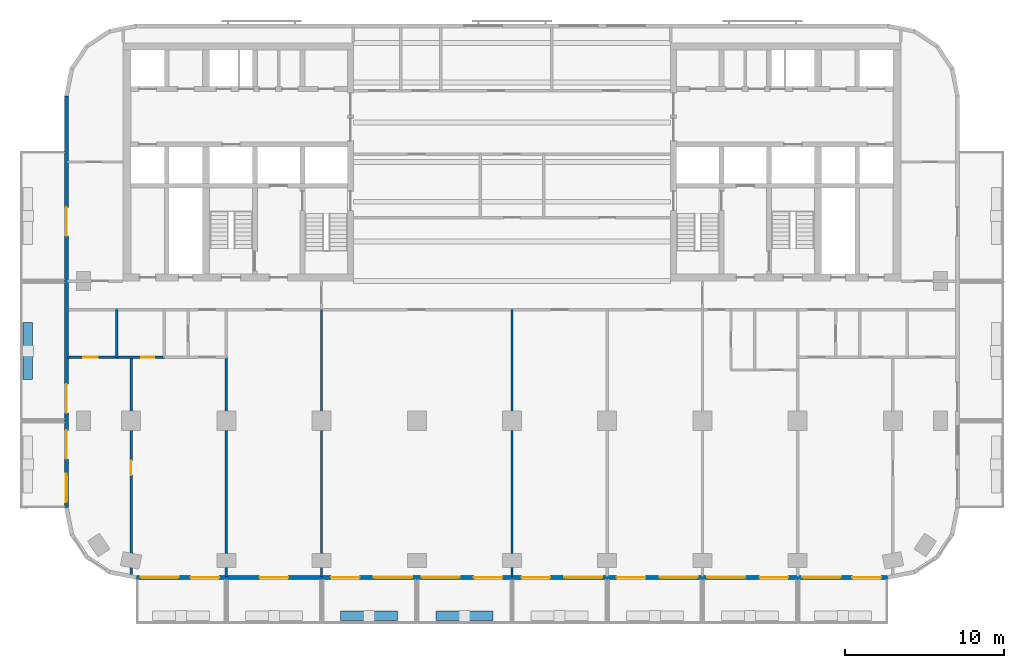
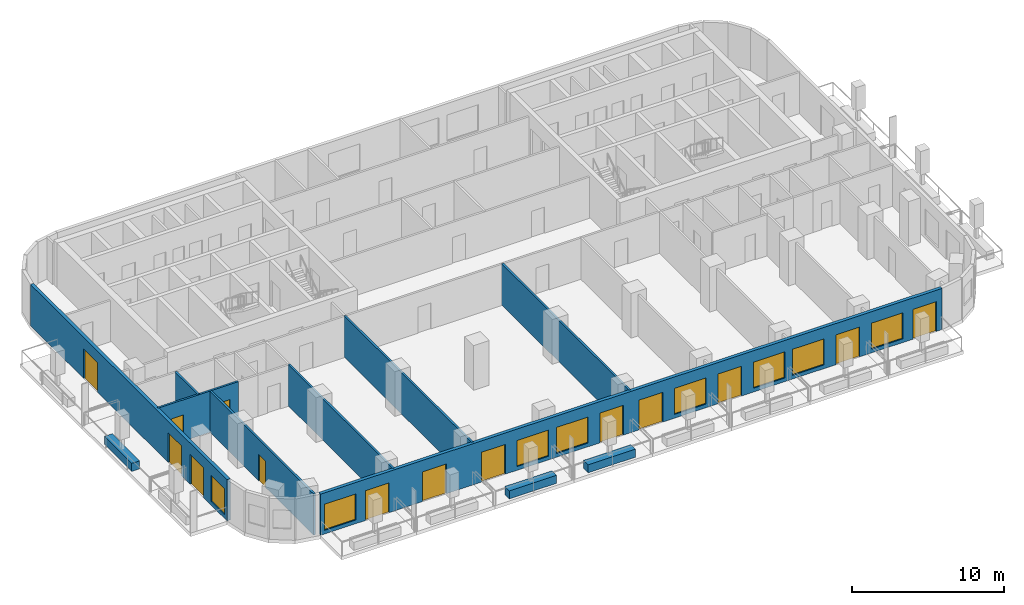
# One storey, part 2 of 11: 14 doors, 11 walls, 8 windows, 22 openings.
"""IFC4 building model written with IfcOpenShell, lengths in metres."""

from ifc_helpers import new_model, si_unit, direction, frame, frame_2d, origin, place, context, subcontext, project, spatial, rectangle, extrude, material, layer, layer_set, type_object, element, fill, save


model = new_model("IFC4")

# Units and contexts
model_context = context("Model", 3, precision=1e-05, world=origin(), true_north=direction((0.0, 1.0)))
body_context = subcontext(model_context, "Body", "Model", "MODEL_VIEW")
ifc_project = project(units=[si_unit("LENGTHUNIT", "METRE"), si_unit("AREAUNIT", "SQUARE_METRE"), si_unit("VOLUMEUNIT", "CUBIC_METRE"), si_unit("PLANEANGLEUNIT", "RADIAN"), si_unit("MASSUNIT", "GRAM", prefix="KILO")], contexts=[model_context])

# Site, building, storey
site_placement = place(None, origin())
site = spatial("IfcSite", under=ifc_project, at=site_placement, CompositionType="ELEMENT")
building_placement = place(site_placement, origin())
building = spatial("IfcBuilding", under=site, at=building_placement, Name="Torana Hotel and Residences", CompositionType="ELEMENT")
storey_placement = place(building_placement, frame((0.0, 0.0, 120.0)))
storey = spatial("IfcBuildingStorey", under=building, at=storey_placement, Name="L30", CompositionType="ELEMENT", Elevation=120.0)

# Wall, openings, doors, window
ifc_material_1 = material(Name="Black aluminium composite panel", Category="aluminium")
ifc_layer_1 = layer(ifc_material_1, 0.00390625, Name="Cladding", Category="cladding")
ifc_material_2 = material(Name="Ventilated air cavity")
ifc_layer_2 = layer(ifc_material_2, 0.0400390625, Name="Ventilated cavity", Category="cavity")
ifc_material_3 = material(Name="Mineral wool insulation")
ifc_layer_3 = layer(ifc_material_3, 0.090087890625, Name="Insulation", Category="insulation")
ifc_material_4 = material(Name="Steel S280GD", Category="steel")
ifc_layer_4 = layer(ifc_material_4, 0.092041015625, Name="Steel stud frame", Category="structure")
ifc_material_5 = material(Name="Fire rated plasterboard")
ifc_layer_5 = layer(ifc_material_5, 0.011962890625, Name="Inner board", Category="finish")
ifc_layer_6 = layer(ifc_material_5, 0.011962890625, Name="Second board", Category="finish")
ifc_layer_set_1 = layer_set([ifc_layer_1, ifc_layer_2, ifc_layer_3, ifc_layer_4, ifc_layer_5, ifc_layer_6], Name="EW1 EXTERNAL WALL BLACK METAL CLAD 250")
wall_type_1 = type_object("IfcWallType", Name="EW1 EXTERNAL WALL BLACK METAL CLAD 250", PredefinedType="SOLIDWALL", material=ifc_layer_set_1)
wall_1_placement = place(storey_placement, frame((-28.074951171875, -3.32470703125, 0.0), z_axis=(0.0, 0.0, 1.0), x_axis=(0.0, -1.0, 0.0)))
wall_1 = element("IfcWall", 1, at=wall_1_placement, inside=storey, type_object=wall_type_1, Name="External wall L30 e0.9", PredefinedType="SOLIDWALL", context=body_context, shape_type="SweptSolid", body=[
    extrude(rectangle(XDim=25.95068359375, YDim=0.25, at=frame_2d((12.975341796875, 0.0))), origin(), (0.0, 0.0, 1.0), 3.320068359375),
])
opening_1_placement = place(wall_1_placement, frame((7.025390625, 0.0, 0.0)))
opening_1 = element("IfcOpeningElement", 2, at=opening_1_placement, cuts=wall_1, Name="Opening L30-E12", PredefinedType="OPENING", context=body_context, shape_type="SweptSolid", body=[
    extrude(rectangle(XDim=1.800048828125, YDim=2.39990234375, at=frame_2d((0.89990234375, 1.199951171875))), frame((0.0, 0.135009765625, 0.0), z_axis=(0.0, -1.0, 0.0), x_axis=(1.0, 0.0, 0.0)), (0.0, 0.0, 1.0), 0.27001953125),
])
opening_2_placement = place(wall_1_placement, frame((18.17529296875, 0.0, 0.0)))
opening_2 = element("IfcOpeningElement", 3, at=opening_2_placement, cuts=wall_1, Name="Opening L30-E13", PredefinedType="OPENING", context=body_context, shape_type="SweptSolid", body=[
    extrude(rectangle(XDim=1.800048828125, YDim=2.39990234375, at=frame_2d((0.89990234375, 1.199951171875))), frame((0.0, 0.135009765625, 0.0), z_axis=(0.0, -1.0, 0.0), x_axis=(1.0, 0.0, 0.0)), (0.0, 0.0, 1.0), 0.27001953125),
])
opening_3_placement = place(wall_1_placement, frame((21.075439453125, 0.0, 0.0)))
opening_3 = element("IfcOpeningElement", 4, at=opening_3_placement, cuts=wall_1, Name="Opening L30-E14", PredefinedType="OPENING", context=body_context, shape_type="SweptSolid", body=[
    extrude(rectangle(XDim=1.800048828125, YDim=2.39990234375, at=frame_2d((0.89990234375, 1.199951171875))), frame((0.0, 0.135009765625, 0.0), z_axis=(0.0, -1.0, 0.0), x_axis=(1.0, 0.0, 0.0)), (0.0, 0.0, 1.0), 0.27001953125),
])
opening_4_placement = place(wall_1_placement, frame((23.825439453125, 0.0, 0.300048828125)))
opening_4 = element("IfcOpeningElement", 5, at=opening_4_placement, cuts=wall_1, Name="Opening W2", PredefinedType="OPENING", context=body_context, shape_type="SweptSolid", body=[
    extrude(rectangle(XDim=1.800048828125, YDim=2.10009765625, at=frame_2d((0.89990234375, 1.050048828125))), frame((0.0, 0.135009765625, 0.0), z_axis=(0.0, -1.0, 0.0), x_axis=(1.0, 0.0, 0.0)), (0.0, 0.0, 1.0), 0.27001953125),
])
ifc_material_6 = material(Name="Dark glass in black aluminium frame", Category="aluminium")
door_type_1 = type_object("IfcDoorType", Name="DB1 BALCONY DOOR 1800x2400", OperationType="DOUBLE_DOOR_SINGLE_SWING", PredefinedType="DOOR", material=ifc_material_6)
door_1_placement = place(opening_1_placement, origin())
door_1 = element("IfcDoor", 6, at=door_1_placement, inside=storey, type_object=door_type_1, Name="Balcony door L30", OperationType="DOUBLE_DOOR_SINGLE_SWING", OverallHeight=2.39990234375, OverallWidth=1.800048828125, PredefinedType="DOOR", context=body_context, shape_type="SweptSolid", body=[
    extrude(rectangle(XDim=1.800048828125, YDim=2.39990234375, at=frame_2d((0.89990234375, 1.199951171875))), frame((0.0, 0.02490234375, 0.0), z_axis=(0.0, -1.0, 0.0), x_axis=(1.0, 0.0, 0.0)), (0.0, 0.0, 1.0), 0.050048828125),
])
fill(opening_1, door_1)
door_2_placement = place(opening_2_placement, frame((0.89990234375, 0.0, 0.0), z_axis=(0.0, 0.0, 1.0), x_axis=(-1.0, 0.0, 0.0)))
door_2 = element("IfcDoor", 7, at=door_2_placement, inside=storey, type_object=door_type_1, Name="Balcony door L30", OperationType="DOUBLE_DOOR_SINGLE_SWING", OverallHeight=2.39990234375, OverallWidth=1.800048828125, PredefinedType="DOOR", context=body_context, shape_type="SweptSolid", body=[
    extrude(rectangle(XDim=1.800048828125, YDim=2.39990234375, at=frame_2d((0.0, 1.199951171875))), frame((0.0, -0.02490234375, 0.0), z_axis=(0.0, 1.0, 0.0), x_axis=(-1.0, 0.0, 0.0)), (0.0, 0.0, 1.0), 0.050048828125),
])
fill(opening_2, door_2)
door_3_placement = place(opening_3_placement, origin())
door_3 = element("IfcDoor", 8, at=door_3_placement, inside=storey, type_object=door_type_1, Name="Balcony door L30", OperationType="DOUBLE_DOOR_SINGLE_SWING", OverallHeight=2.39990234375, OverallWidth=1.800048828125, PredefinedType="DOOR", context=body_context, shape_type="SweptSolid", body=[
    extrude(rectangle(XDim=1.800048828125, YDim=2.39990234375, at=frame_2d((0.89990234375, 1.199951171875))), frame((0.0, 0.02490234375, 0.0), z_axis=(0.0, -1.0, 0.0), x_axis=(1.0, 0.0, 0.0)), (0.0, 0.0, 1.0), 0.050048828125),
])
fill(opening_3, door_3)
ifc_material_7 = material(Name="Dark glass in black aluminium frame", Category="aluminium")
window_type_1 = type_object("IfcWindowType", Name="W2 HOTEL ROOM WINDOW NARROW 1800x2100", PartitioningType="SINGLE_PANEL", PredefinedType="WINDOW", material=ifc_material_7)
window_1_placement = place(opening_4_placement, origin())
window_1 = element("IfcWindow", 9, at=window_1_placement, inside=storey, type_object=window_type_1, Name="Window L30", OverallHeight=2.10009765625, OverallWidth=1.800048828125, PartitioningType="SINGLE_PANEL", PredefinedType="WINDOW", context=body_context, shape_type="SweptSolid", body=[
    extrude(rectangle(XDim=1.800048828125, YDim=2.10009765625, at=frame_2d((0.89990234375, 1.050048828125))), frame((0.0, 0.030029296875, 0.0), z_axis=(0.0, -1.0, 0.0), x_axis=(1.0, 0.0, 0.0)), (0.0, 0.0, 1.0), 0.06005859375),
])
fill(opening_4, window_1)

# Wall, openings, doors, windows
wall_2_placement = place(storey_placement, frame((-23.67529296875, -33.675048828125, 0.0), z_axis=(0.0, 0.0, 1.0), x_axis=(1.0, 0.0, 0.0)))
wall_2 = element("IfcWall", 10, at=wall_2_placement, inside=storey, type_object=wall_type_1, Name="External wall L30 e0.14", PredefinedType="SOLIDWALL", context=body_context, shape_type="SweptSolid", body=[
    extrude(rectangle(XDim=47.3505859375, YDim=0.25, at=frame_2d((23.67529296875, 0.0))), origin(), (0.0, 0.0, 1.0), 3.320068359375),
])
opening_5_placement = place(wall_2_placement, frame((0.275390625, 0.0, 0.300048828125)))
opening_5 = element("IfcOpeningElement", 11, at=opening_5_placement, cuts=wall_2, Name="Opening W1", PredefinedType="OPENING", context=body_context, shape_type="SweptSolid", body=[
    extrude(rectangle(XDim=2.39990234375, YDim=2.10009765625, at=frame_2d((1.199951171875, 1.050048828125))), frame((0.0, 0.135009765625, 0.0), z_axis=(0.0, -1.0, 0.0), x_axis=(1.0, 0.0, 0.0)), (0.0, 0.0, 1.0), 0.27001953125),
])
opening_6_placement = place(wall_2_placement, frame((3.42529296875, 0.0, 0.0)))
opening_6 = element("IfcOpeningElement", 12, at=opening_6_placement, cuts=wall_2, Name="Opening L30-E01", PredefinedType="OPENING", context=body_context, shape_type="SweptSolid", body=[
    extrude(rectangle(XDim=1.800048828125, YDim=2.39990234375, at=frame_2d((0.89990234375, 1.199951171875))), frame((0.0, 0.135009765625, 0.0), z_axis=(0.0, -1.0, 0.0), x_axis=(1.0, 0.0, 0.0)), (0.0, 0.0, 1.0), 0.27001953125),
])
opening_7_placement = place(wall_2_placement, frame((7.775390625, 0.0, 0.0)))
opening_7 = element("IfcOpeningElement", 13, at=opening_7_placement, cuts=wall_2, Name="Opening L30-E02", PredefinedType="OPENING", context=body_context, shape_type="SweptSolid", body=[
    extrude(rectangle(XDim=1.800048828125, YDim=2.39990234375, at=frame_2d((0.89990234375, 1.199951171875))), frame((0.0, 0.135009765625, 0.0), z_axis=(0.0, -1.0, 0.0), x_axis=(1.0, 0.0, 0.0)), (0.0, 0.0, 1.0), 0.27001953125),
])
opening_8_placement = place(wall_2_placement, frame((12.275390625, 0.0, 0.0)))
opening_8 = element("IfcOpeningElement", 14, at=opening_8_placement, cuts=wall_2, Name="Opening L30-E03", PredefinedType="OPENING", context=body_context, shape_type="SweptSolid", body=[
    extrude(rectangle(XDim=1.800048828125, YDim=2.39990234375, at=frame_2d((0.89990234375, 1.199951171875))), frame((0.0, 0.135009765625, 0.0), z_axis=(0.0, -1.0, 0.0), x_axis=(1.0, 0.0, 0.0)), (0.0, 0.0, 1.0), 0.27001953125),
])
opening_9_placement = place(wall_2_placement, frame((14.975341796875, 0.0, 0.300048828125)))
opening_9 = element("IfcOpeningElement", 15, at=opening_9_placement, cuts=wall_2, Name="Opening W1", PredefinedType="OPENING", context=body_context, shape_type="SweptSolid", body=[
    extrude(rectangle(XDim=2.39990234375, YDim=2.10009765625, at=frame_2d((1.199951171875, 1.050048828125))), frame((0.0, 0.135009765625, 0.0), z_axis=(0.0, -1.0, 0.0), x_axis=(1.0, 0.0, 0.0)), (0.0, 0.0, 1.0), 0.27001953125),
])
opening_10_placement = place(wall_2_placement, frame((17.975341796875, 0.0, 0.300048828125)))
opening_10 = element("IfcOpeningElement", 16, at=opening_10_placement, cuts=wall_2, Name="Opening W1", PredefinedType="OPENING", context=body_context, shape_type="SweptSolid", body=[
    extrude(rectangle(XDim=2.39990234375, YDim=2.10009765625, at=frame_2d((1.199951171875, 1.050048828125))), frame((0.0, 0.135009765625, 0.0), z_axis=(0.0, -1.0, 0.0), x_axis=(1.0, 0.0, 0.0)), (0.0, 0.0, 1.0), 0.27001953125),
])
opening_11_placement = place(wall_2_placement, frame((21.275390625, 0.0, 0.0)))
opening_11 = element("IfcOpeningElement", 17, at=opening_11_placement, cuts=wall_2, Name="Opening L30-E04", PredefinedType="OPENING", context=body_context, shape_type="SweptSolid", body=[
    extrude(rectangle(XDim=1.800048828125, YDim=2.39990234375, at=frame_2d((0.89990234375, 1.199951171875))), frame((0.0, 0.135009765625, 0.0), z_axis=(0.0, -1.0, 0.0), x_axis=(1.0, 0.0, 0.0)), (0.0, 0.0, 1.0), 0.27001953125),
])
opening_12_placement = place(wall_2_placement, frame((24.275390625, 0.0, 0.0)))
opening_12 = element("IfcOpeningElement", 18, at=opening_12_placement, cuts=wall_2, Name="Opening L30-E05", PredefinedType="OPENING", context=body_context, shape_type="SweptSolid", body=[
    extrude(rectangle(XDim=1.800048828125, YDim=2.39990234375, at=frame_2d((0.89990234375, 1.199951171875))), frame((0.0, 0.135009765625, 0.0), z_axis=(0.0, -1.0, 0.0), x_axis=(1.0, 0.0, 0.0)), (0.0, 0.0, 1.0), 0.27001953125),
])
opening_13_placement = place(wall_2_placement, frame((26.975341796875, 0.0, 0.300048828125)))
opening_13 = element("IfcOpeningElement", 19, at=opening_13_placement, cuts=wall_2, Name="Opening W1", PredefinedType="OPENING", context=body_context, shape_type="SweptSolid", body=[
    extrude(rectangle(XDim=2.39990234375, YDim=2.10009765625, at=frame_2d((1.199951171875, 1.050048828125))), frame((0.0, 0.135009765625, 0.0), z_axis=(0.0, -1.0, 0.0), x_axis=(1.0, 0.0, 0.0)), (0.0, 0.0, 1.0), 0.27001953125),
])
opening_14_placement = place(wall_2_placement, frame((30.275390625, 0.0, 0.0)))
opening_14 = element("IfcOpeningElement", 20, at=opening_14_placement, cuts=wall_2, Name="Opening L30-E06", PredefinedType="OPENING", context=body_context, shape_type="SweptSolid", body=[
    extrude(rectangle(XDim=1.800048828125, YDim=2.39990234375, at=frame_2d((0.89990234375, 1.199951171875))), frame((0.0, 0.135009765625, 0.0), z_axis=(0.0, -1.0, 0.0), x_axis=(1.0, 0.0, 0.0)), (0.0, 0.0, 1.0), 0.27001953125),
])
opening_15_placement = place(wall_2_placement, frame((32.975341796875, 0.0, 0.300048828125)))
opening_15 = element("IfcOpeningElement", 21, at=opening_15_placement, cuts=wall_2, Name="Opening W1", PredefinedType="OPENING", context=body_context, shape_type="SweptSolid", body=[
    extrude(rectangle(XDim=2.39990234375, YDim=2.10009765625, at=frame_2d((1.199951171875, 1.050048828125))), frame((0.0, 0.135009765625, 0.0), z_axis=(0.0, -1.0, 0.0), x_axis=(1.0, 0.0, 0.0)), (0.0, 0.0, 1.0), 0.27001953125),
])
opening_16_placement = place(wall_2_placement, frame((35.975341796875, 0.0, 0.300048828125)))
opening_16 = element("IfcOpeningElement", 22, at=opening_16_placement, cuts=wall_2, Name="Opening W1", PredefinedType="OPENING", context=body_context, shape_type="SweptSolid", body=[
    extrude(rectangle(XDim=2.39990234375, YDim=2.10009765625, at=frame_2d((1.199951171875, 1.050048828125))), frame((0.0, 0.135009765625, 0.0), z_axis=(0.0, -1.0, 0.0), x_axis=(1.0, 0.0, 0.0)), (0.0, 0.0, 1.0), 0.27001953125),
])
opening_17_placement = place(wall_2_placement, frame((39.275390625, 0.0, 0.0)))
opening_17 = element("IfcOpeningElement", 23, at=opening_17_placement, cuts=wall_2, Name="Opening L30-E07", PredefinedType="OPENING", context=body_context, shape_type="SweptSolid", body=[
    extrude(rectangle(XDim=1.800048828125, YDim=2.39990234375, at=frame_2d((0.89990234375, 1.199951171875))), frame((0.0, 0.135009765625, 0.0), z_axis=(0.0, -1.0, 0.0), x_axis=(1.0, 0.0, 0.0)), (0.0, 0.0, 1.0), 0.27001953125),
])
opening_18_placement = place(wall_2_placement, frame((41.975341796875, 0.0, 0.300048828125)))
opening_18 = element("IfcOpeningElement", 24, at=opening_18_placement, cuts=wall_2, Name="Opening W1", PredefinedType="OPENING", context=body_context, shape_type="SweptSolid", body=[
    extrude(rectangle(XDim=2.39990234375, YDim=2.10009765625, at=frame_2d((1.199951171875, 1.050048828125))), frame((0.0, 0.135009765625, 0.0), z_axis=(0.0, -1.0, 0.0), x_axis=(1.0, 0.0, 0.0)), (0.0, 0.0, 1.0), 0.27001953125),
])
opening_19_placement = place(wall_2_placement, frame((45.12548828125, 0.0, 0.0)))
opening_19 = element("IfcOpeningElement", 25, at=opening_19_placement, cuts=wall_2, Name="Opening L30-E08", PredefinedType="OPENING", context=body_context, shape_type="SweptSolid", body=[
    extrude(rectangle(XDim=1.800048828125, YDim=2.39990234375, at=frame_2d((0.89990234375, 1.199951171875))), frame((0.0, 0.135009765625, 0.0), z_axis=(0.0, -1.0, 0.0), x_axis=(1.0, 0.0, 0.0)), (0.0, 0.0, 1.0), 0.27001953125),
])
door_4_placement = place(opening_6_placement, frame((0.89990234375, 0.0, 0.0), z_axis=(0.0, 0.0, 1.0), x_axis=(-1.0, 0.0, 0.0)))
door_4 = element("IfcDoor", 26, at=door_4_placement, inside=storey, type_object=door_type_1, Name="Balcony door L30", OperationType="DOUBLE_DOOR_SINGLE_SWING", OverallHeight=2.39990234375, OverallWidth=1.800048828125, PredefinedType="DOOR", context=body_context, shape_type="SweptSolid", body=[
    extrude(rectangle(XDim=1.800048828125, YDim=2.39990234375, at=frame_2d((0.0, 1.199951171875))), frame((0.0, -0.02490234375, 0.0), z_axis=(0.0, 1.0, 0.0), x_axis=(-1.0, 0.0, 0.0)), (0.0, 0.0, 1.0), 0.050048828125),
])
fill(opening_6, door_4)
door_5_placement = place(opening_7_placement, origin())
door_5 = element("IfcDoor", 27, at=door_5_placement, inside=storey, type_object=door_type_1, Name="Balcony door L30", OperationType="DOUBLE_DOOR_SINGLE_SWING", OverallHeight=2.39990234375, OverallWidth=1.800048828125, PredefinedType="DOOR", context=body_context, shape_type="SweptSolid", body=[
    extrude(rectangle(XDim=1.800048828125, YDim=2.39990234375, at=frame_2d((0.89990234375, 1.199951171875))), frame((0.0, 0.02490234375, 0.0), z_axis=(0.0, -1.0, 0.0), x_axis=(1.0, 0.0, 0.0)), (0.0, 0.0, 1.0), 0.050048828125),
])
fill(opening_7, door_5)
door_6_placement = place(opening_8_placement, origin())
door_6 = element("IfcDoor", 28, at=door_6_placement, inside=storey, type_object=door_type_1, Name="Balcony door L30", OperationType="DOUBLE_DOOR_SINGLE_SWING", OverallHeight=2.39990234375, OverallWidth=1.800048828125, PredefinedType="DOOR", context=body_context, shape_type="SweptSolid", body=[
    extrude(rectangle(XDim=1.800048828125, YDim=2.39990234375, at=frame_2d((0.89990234375, 1.199951171875))), frame((0.0, 0.02490234375, 0.0), z_axis=(0.0, -1.0, 0.0), x_axis=(1.0, 0.0, 0.0)), (0.0, 0.0, 1.0), 0.050048828125),
])
fill(opening_8, door_6)
door_7_placement = place(opening_11_placement, origin())
door_7 = element("IfcDoor", 29, at=door_7_placement, inside=storey, type_object=door_type_1, Name="Balcony door L30", OperationType="DOUBLE_DOOR_SINGLE_SWING", OverallHeight=2.39990234375, OverallWidth=1.800048828125, PredefinedType="DOOR", context=body_context, shape_type="SweptSolid", body=[
    extrude(rectangle(XDim=1.800048828125, YDim=2.39990234375, at=frame_2d((0.89990234375, 1.199951171875))), frame((0.0, 0.02490234375, 0.0), z_axis=(0.0, -1.0, 0.0), x_axis=(1.0, 0.0, 0.0)), (0.0, 0.0, 1.0), 0.050048828125),
])
fill(opening_11, door_7)
door_8_placement = place(opening_12_placement, origin())
door_8 = element("IfcDoor", 30, at=door_8_placement, inside=storey, type_object=door_type_1, Name="Balcony door L30", OperationType="DOUBLE_DOOR_SINGLE_SWING", OverallHeight=2.39990234375, OverallWidth=1.800048828125, PredefinedType="DOOR", context=body_context, shape_type="SweptSolid", body=[
    extrude(rectangle(XDim=1.800048828125, YDim=2.39990234375, at=frame_2d((0.89990234375, 1.199951171875))), frame((0.0, 0.02490234375, 0.0), z_axis=(0.0, -1.0, 0.0), x_axis=(1.0, 0.0, 0.0)), (0.0, 0.0, 1.0), 0.050048828125),
])
fill(opening_12, door_8)
door_9_placement = place(opening_14_placement, origin())
door_9 = element("IfcDoor", 31, at=door_9_placement, inside=storey, type_object=door_type_1, Name="Balcony door L30", OperationType="DOUBLE_DOOR_SINGLE_SWING", OverallHeight=2.39990234375, OverallWidth=1.800048828125, PredefinedType="DOOR", context=body_context, shape_type="SweptSolid", body=[
    extrude(rectangle(XDim=1.800048828125, YDim=2.39990234375, at=frame_2d((0.89990234375, 1.199951171875))), frame((0.0, 0.02490234375, 0.0), z_axis=(0.0, -1.0, 0.0), x_axis=(1.0, 0.0, 0.0)), (0.0, 0.0, 1.0), 0.050048828125),
])
fill(opening_14, door_9)
door_10_placement = place(opening_17_placement, origin())
door_10 = element("IfcDoor", 32, at=door_10_placement, inside=storey, type_object=door_type_1, Name="Balcony door L30", OperationType="DOUBLE_DOOR_SINGLE_SWING", OverallHeight=2.39990234375, OverallWidth=1.800048828125, PredefinedType="DOOR", context=body_context, shape_type="SweptSolid", body=[
    extrude(rectangle(XDim=1.800048828125, YDim=2.39990234375, at=frame_2d((0.89990234375, 1.199951171875))), frame((0.0, 0.02490234375, 0.0), z_axis=(0.0, -1.0, 0.0), x_axis=(1.0, 0.0, 0.0)), (0.0, 0.0, 1.0), 0.050048828125),
])
fill(opening_17, door_10)
door_11_placement = place(opening_19_placement, origin())
door_11 = element("IfcDoor", 33, at=door_11_placement, inside=storey, type_object=door_type_1, Name="Balcony door L30", OperationType="DOUBLE_DOOR_SINGLE_SWING", OverallHeight=2.39990234375, OverallWidth=1.800048828125, PredefinedType="DOOR", context=body_context, shape_type="SweptSolid", body=[
    extrude(rectangle(XDim=1.800048828125, YDim=2.39990234375, at=frame_2d((0.89990234375, 1.199951171875))), frame((0.0, 0.02490234375, 0.0), z_axis=(0.0, -1.0, 0.0), x_axis=(1.0, 0.0, 0.0)), (0.0, 0.0, 1.0), 0.050048828125),
])
fill(opening_19, door_11)
ifc_material_8 = material(Name="Dark glass in black aluminium frame", Category="aluminium")
window_type_2 = type_object("IfcWindowType", Name="W1 HOTEL ROOM WINDOW 2400x2100", PartitioningType="SINGLE_PANEL", PredefinedType="WINDOW", material=ifc_material_8)
window_2_placement = place(opening_5_placement, origin())
window_2 = element("IfcWindow", 34, at=window_2_placement, inside=storey, type_object=window_type_2, Name="Window L30", OverallHeight=2.10009765625, OverallWidth=2.39990234375, PartitioningType="SINGLE_PANEL", PredefinedType="WINDOW", context=body_context, shape_type="SweptSolid", body=[
    extrude(rectangle(XDim=2.39990234375, YDim=2.10009765625, at=frame_2d((1.199951171875, 1.050048828125))), frame((0.0, 0.030029296875, 0.0), z_axis=(0.0, -1.0, 0.0), x_axis=(1.0, 0.0, 0.0)), (0.0, 0.0, 1.0), 0.06005859375),
])
fill(opening_5, window_2)
window_3_placement = place(opening_9_placement, origin())
window_3 = element("IfcWindow", 35, at=window_3_placement, inside=storey, type_object=window_type_2, Name="Window L30", OverallHeight=2.10009765625, OverallWidth=2.39990234375, PartitioningType="SINGLE_PANEL", PredefinedType="WINDOW", context=body_context, shape_type="SweptSolid", body=[
    extrude(rectangle(XDim=2.39990234375, YDim=2.10009765625, at=frame_2d((1.199951171875, 1.050048828125))), frame((0.0, 0.030029296875, 0.0), z_axis=(0.0, -1.0, 0.0), x_axis=(1.0, 0.0, 0.0)), (0.0, 0.0, 1.0), 0.06005859375),
])
fill(opening_9, window_3)
window_4_placement = place(opening_10_placement, origin())
window_4 = element("IfcWindow", 36, at=window_4_placement, inside=storey, type_object=window_type_2, Name="Window L30", OverallHeight=2.10009765625, OverallWidth=2.39990234375, PartitioningType="SINGLE_PANEL", PredefinedType="WINDOW", context=body_context, shape_type="SweptSolid", body=[
    extrude(rectangle(XDim=2.39990234375, YDim=2.10009765625, at=frame_2d((1.199951171875, 1.050048828125))), frame((0.0, 0.030029296875, 0.0), z_axis=(0.0, -1.0, 0.0), x_axis=(1.0, 0.0, 0.0)), (0.0, 0.0, 1.0), 0.06005859375),
])
fill(opening_10, window_4)
window_5_placement = place(opening_13_placement, origin())
window_5 = element("IfcWindow", 37, at=window_5_placement, inside=storey, type_object=window_type_2, Name="Window L30", OverallHeight=2.10009765625, OverallWidth=2.39990234375, PartitioningType="SINGLE_PANEL", PredefinedType="WINDOW", context=body_context, shape_type="SweptSolid", body=[
    extrude(rectangle(XDim=2.39990234375, YDim=2.10009765625, at=frame_2d((1.199951171875, 1.050048828125))), frame((0.0, 0.030029296875, 0.0), z_axis=(0.0, -1.0, 0.0), x_axis=(1.0, 0.0, 0.0)), (0.0, 0.0, 1.0), 0.06005859375),
])
fill(opening_13, window_5)
window_6_placement = place(opening_15_placement, origin())
window_6 = element("IfcWindow", 38, at=window_6_placement, inside=storey, type_object=window_type_2, Name="Window L30", OverallHeight=2.10009765625, OverallWidth=2.39990234375, PartitioningType="SINGLE_PANEL", PredefinedType="WINDOW", context=body_context, shape_type="SweptSolid", body=[
    extrude(rectangle(XDim=2.39990234375, YDim=2.10009765625, at=frame_2d((1.199951171875, 1.050048828125))), frame((0.0, 0.030029296875, 0.0), z_axis=(0.0, -1.0, 0.0), x_axis=(1.0, 0.0, 0.0)), (0.0, 0.0, 1.0), 0.06005859375),
])
fill(opening_15, window_6)
window_7_placement = place(opening_16_placement, origin())
window_7 = element("IfcWindow", 39, at=window_7_placement, inside=storey, type_object=window_type_2, Name="Window L30", OverallHeight=2.10009765625, OverallWidth=2.39990234375, PartitioningType="SINGLE_PANEL", PredefinedType="WINDOW", context=body_context, shape_type="SweptSolid", body=[
    extrude(rectangle(XDim=2.39990234375, YDim=2.10009765625, at=frame_2d((1.199951171875, 1.050048828125))), frame((0.0, 0.030029296875, 0.0), z_axis=(0.0, -1.0, 0.0), x_axis=(1.0, 0.0, 0.0)), (0.0, 0.0, 1.0), 0.06005859375),
])
fill(opening_16, window_7)
window_8_placement = place(opening_18_placement, origin())
window_8 = element("IfcWindow", 40, at=window_8_placement, inside=storey, type_object=window_type_2, Name="Window L30", OverallHeight=2.10009765625, OverallWidth=2.39990234375, PartitioningType="SINGLE_PANEL", PredefinedType="WINDOW", context=body_context, shape_type="SweptSolid", body=[
    extrude(rectangle(XDim=2.39990234375, YDim=2.10009765625, at=frame_2d((1.199951171875, 1.050048828125))), frame((0.0, 0.030029296875, 0.0), z_axis=(0.0, -1.0, 0.0), x_axis=(1.0, 0.0, 0.0)), (0.0, 0.0, 1.0), 0.06005859375),
])
fill(opening_18, window_8)

# Walls
ifc_material_9 = material(Name="Gypsum plasterboard")
ifc_layer_7 = layer(ifc_material_9, 0.012451171875, Name="Plasterboard", Category="finish")
ifc_layer_8 = layer(ifc_material_9, 0.012451171875, Name="Plasterboard", Category="finish")
ifc_layer_9 = layer(ifc_material_4, 0.10009765625, Name="Steel studs with mineral wool", Category="insulation")
ifc_layer_10 = layer(ifc_material_9, 0.012451171875, Name="Plasterboard", Category="finish")
ifc_layer_11 = layer(ifc_material_9, 0.012451171875, Name="Plasterboard", Category="finish")
ifc_layer_set_2 = layer_set([ifc_layer_7, ifc_layer_8, ifc_layer_9, ifc_layer_10, ifc_layer_11], Name="PARTITION 150 PLASTERBOARD")
wall_type_2 = type_object("IfcWallType", Name="PARTITION 150 PLASTERBOARD", PredefinedType="PARTITIONING", material=ifc_layer_set_2)
for number, where, z_axis, x_axis, name in (
    (41, (0.0, -33.6201171875, 0.0), (0.0, 0.0, 1.0), (0.0, 1.0, 0.0), "Partition L30"),
    (42, (-12.0, -33.6201171875, 0.0), (0.0, 0.0, 1.0), (0.0, 1.0, 0.0), "Partition L30"),
):
    element("IfcWall", number, at=place(storey_placement, frame(where, z_axis=z_axis, x_axis=x_axis)), inside=storey, type_object=wall_type_2, Name=name, PredefinedType="PARTITIONING", context=body_context, shape_type="SweptSolid", body=[
        extrude(rectangle(XDim=16.820068359375, YDim=0.14990234375, at=frame_2d((8.41015625, 0.0))), origin(), (0.0, 0.0, 1.0), 3.320068359375),
    ])
wall_3_placement = place(storey_placement, frame((-18.0, -33.6201171875, 0.0), z_axis=(0.0, 0.0, 1.0), x_axis=(0.0, 1.0, 0.0)))
element("IfcWall", 43, at=wall_3_placement, inside=storey, type_object=wall_type_2, Name="Partition L30", PredefinedType="PARTITIONING", context=body_context, shape_type="SweptSolid", body=[
    extrude(rectangle(XDim=13.820068359375, YDim=0.14990234375, at=frame_2d((6.91015625, 0.0))), origin(), (0.0, 0.0, 1.0), 3.320068359375),
])

# Wall, opening, door
wall_4_placement = place(storey_placement, frame((-24.0, -33.556884765625, 0.0), z_axis=(0.0, 0.0, 1.0), x_axis=(0.0, 1.0, 0.0)))
wall_4 = element("IfcWall", 44, at=wall_4_placement, inside=storey, type_object=wall_type_2, Name="Partition L30", PredefinedType="PARTITIONING", context=body_context, shape_type="SweptSolid", body=[
    extrude(rectangle(XDim=13.7568359375, YDim=0.14990234375, at=frame_2d((6.87841796875, 0.0))), origin(), (0.0, 0.0, 1.0), 3.320068359375),
])
opening_20_placement = place(wall_4_placement, frame((6.3369140625, 0.0, 0.0)))
opening_20 = element("IfcOpeningElement", 45, at=opening_20_placement, cuts=wall_4, Name="Opening L30-56", PredefinedType="OPENING", context=body_context, shape_type="SweptSolid", body=[
    extrude(rectangle(XDim=0.89990234375, YDim=2.10009765625, at=frame_2d((0.449951171875, 1.050048828125))), frame((0.0, 0.0849609375, 0.0), z_axis=(0.0, -1.0, 0.0), x_axis=(1.0, 0.0, 0.0)), (0.0, 0.0, 1.0), 0.169921875),
])
ifc_material_10 = material(Name="Timber door, oiled ash", Category="wood")
door_type_2 = type_object("IfcDoorType", Name="ROOM DOOR D7 900x2100", OperationType="SINGLE_SWING_LEFT", PredefinedType="DOOR", material=ifc_material_10)
door_12_placement = place(opening_20_placement, origin())
door_12 = element("IfcDoor", 46, at=door_12_placement, inside=storey, type_object=door_type_2, Name="Door L30", OperationType="SINGLE_SWING_RIGHT", OverallHeight=2.10009765625, OverallWidth=0.89990234375, PredefinedType="DOOR", context=body_context, shape_type="SweptSolid", body=[
    extrude(rectangle(XDim=0.89990234375, YDim=2.10009765625, at=frame_2d((0.449951171875, 1.050048828125))), frame((0.0, 0.02490234375, 0.0), z_axis=(0.0, -1.0, 0.0), x_axis=(1.0, 0.0, 0.0)), (0.0, 0.0, 1.0), 0.050048828125),
])
fill(opening_20, door_12)

# Wall
wall_5_placement = place(storey_placement, frame((-24.89990234375, -19.800048828125, 0.0), z_axis=(0.0, 0.0, 1.0), x_axis=(0.0, 1.0, 0.0)))
element("IfcWall", 47, at=wall_5_placement, inside=storey, type_object=wall_type_2, Name="Partition L30", PredefinedType="PARTITIONING", context=body_context, shape_type="SweptSolid", body=[
    extrude(rectangle(XDim=3.0, YDim=0.14990234375, at=frame_2d((1.5, 0.0))), origin(), (0.0, 0.0, 1.0), 3.320068359375),
])

# Wall, openings, doors
wall_6_placement = place(storey_placement, frame((-28.02001953125, -19.800048828125, 0.0), z_axis=(0.0, 0.0, 1.0), x_axis=(1.0, 0.0, 0.0)))
wall_6 = element("IfcWall", 48, at=wall_6_placement, inside=storey, type_object=wall_type_2, Name="Partition L30", PredefinedType="PARTITIONING", context=body_context, shape_type="SweptSolid", body=[
    extrude(rectangle(XDim=6.1201171875, YDim=0.14990234375, at=frame_2d((3.06005859375, 0.0))), origin(), (0.0, 0.0, 1.0), 3.320068359375),
])
opening_21_placement = place(wall_6_placement, frame((4.669921875, 0.0, 0.0)))
opening_21 = element("IfcOpeningElement", 49, at=opening_21_placement, cuts=wall_6, Name="Opening L30-54", PredefinedType="OPENING", context=body_context, shape_type="SweptSolid", body=[
    extrude(rectangle(XDim=0.800048828125, YDim=2.10009765625, at=frame_2d((0.39990234375, 1.050048828125))), frame((0.0, 0.0849609375, 0.0), z_axis=(0.0, -1.0, 0.0), x_axis=(1.0, 0.0, 0.0)), (0.0, 0.0, 1.0), 0.169921875),
])
opening_22_placement = place(wall_6_placement, frame((1.02001953125, 0.0, 0.0)))
opening_22 = element("IfcOpeningElement", 50, at=opening_22_placement, cuts=wall_6, Name="Opening L30-55", PredefinedType="OPENING", context=body_context, shape_type="SweptSolid", body=[
    extrude(rectangle(XDim=0.89990234375, YDim=2.10009765625, at=frame_2d((0.449951171875, 1.050048828125))), frame((0.0, 0.0849609375, 0.0), z_axis=(0.0, -1.0, 0.0), x_axis=(1.0, 0.0, 0.0)), (0.0, 0.0, 1.0), 0.169921875),
])
ifc_material_11 = material(Name="Timber door, painted", Category="wood")
door_type_3 = type_object("IfcDoorType", Name="BATH DOOR D13 800x2100", OperationType="SINGLE_SWING_LEFT", PredefinedType="DOOR", material=ifc_material_11)
door_13_placement = place(opening_21_placement, origin())
door_13 = element("IfcDoor", 51, at=door_13_placement, inside=storey, type_object=door_type_3, Name="Door L30", OperationType="SINGLE_SWING_LEFT", OverallHeight=2.10009765625, OverallWidth=0.800048828125, PredefinedType="DOOR", context=body_context, shape_type="SweptSolid", body=[
    extrude(rectangle(XDim=0.800048828125, YDim=2.10009765625, at=frame_2d((0.39990234375, 1.050048828125))), frame((0.0, 0.02490234375, 0.0), z_axis=(0.0, -1.0, 0.0), x_axis=(1.0, 0.0, 0.0)), (0.0, 0.0, 1.0), 0.050048828125),
])
fill(opening_21, door_13)
door_14_placement = place(opening_22_placement, origin())
door_14 = element("IfcDoor", 52, at=door_14_placement, inside=storey, type_object=door_type_2, Name="Door L30", OperationType="SINGLE_SWING_RIGHT", OverallHeight=2.10009765625, OverallWidth=0.89990234375, PredefinedType="DOOR", context=body_context, shape_type="SweptSolid", body=[
    extrude(rectangle(XDim=0.89990234375, YDim=2.10009765625, at=frame_2d((0.449951171875, 1.050048828125))), frame((0.0, 0.02490234375, 0.0), z_axis=(0.0, -1.0, 0.0), x_axis=(1.0, 0.0, 0.0)), (0.0, 0.0, 1.0), 0.050048828125),
])
fill(opening_22, door_14)

# Walls
ifc_material_12 = material(Name="Concrete C40/50 precast", Category="concrete")
ifc_layer_12 = layer(ifc_material_12, 0.10009765625, Name="Planter shell", Category="structure")
ifc_material_13 = material(Name="Root resistant membrane")
ifc_layer_13 = layer(ifc_material_13, 0.00390625, Name="Waterproofing membrane", Category="membrane")
ifc_material_14 = material(Name="Drainage board with filter fleece")
ifc_layer_14 = layer(ifc_material_14, 0.02001953125, Name="Drainage board", Category="drainage")
ifc_material_15 = material(Name="Growing medium")
ifc_layer_15 = layer(ifc_material_15, 0.47607421875, Name="Planting substrate", Category="soil")
ifc_layer_set_3 = layer_set([ifc_layer_12, ifc_layer_13, ifc_layer_14, ifc_layer_15], Name="PL1 BALCONY PLANTER 600")
wall_type_3 = type_object("IfcWallType", Name="PL1 BALCONY PLANTER 600", PredefinedType="USERDEFINED", material=ifc_layer_set_3)
for number, where, z_axis, x_axis, name in (
    (53, (-7.199951171875, -36.10009765625, 0.0), (0.0, 0.0, 1.0), (-1.0, 0.0, 0.0), "Planter 03"),
    (54, (-1.199951171875, -36.10009765625, 0.0), (0.0, 0.0, 1.0), (-1.0, 0.0, 0.0), "Planter 04"),
):
    element("IfcWall", number, at=place(storey_placement, frame(where, z_axis=z_axis, x_axis=x_axis)), inside=storey, type_object=wall_type_3, Name=name, ObjectType="PLANTER", PredefinedType="USERDEFINED", context=body_context, shape_type="SweptSolid", body=[
        extrude(rectangle(XDim=3.60009765625, YDim=0.60009765625, at=frame_2d((1.800048828125, 0.0))), origin(), (0.0, 0.0, 1.0), 0.64990234375),
    ])
wall_7_placement = place(storey_placement, frame((-30.5, -21.199951171875, 0.0), z_axis=(0.0, 0.0, 1.0), x_axis=(0.0, 1.0, 0.0)))
element("IfcWall", 55, at=wall_7_placement, inside=storey, type_object=wall_type_3, Name="Planter 10", ObjectType="PLANTER", PredefinedType="USERDEFINED", context=body_context, shape_type="SweptSolid", body=[
    extrude(rectangle(XDim=3.599853515625, YDim=0.60009765625, at=frame_2d((1.7998046875, 0.0))), origin(), (0.0, 0.0, 1.0), 0.64990234375),
])

save(model, "model.ifc")
